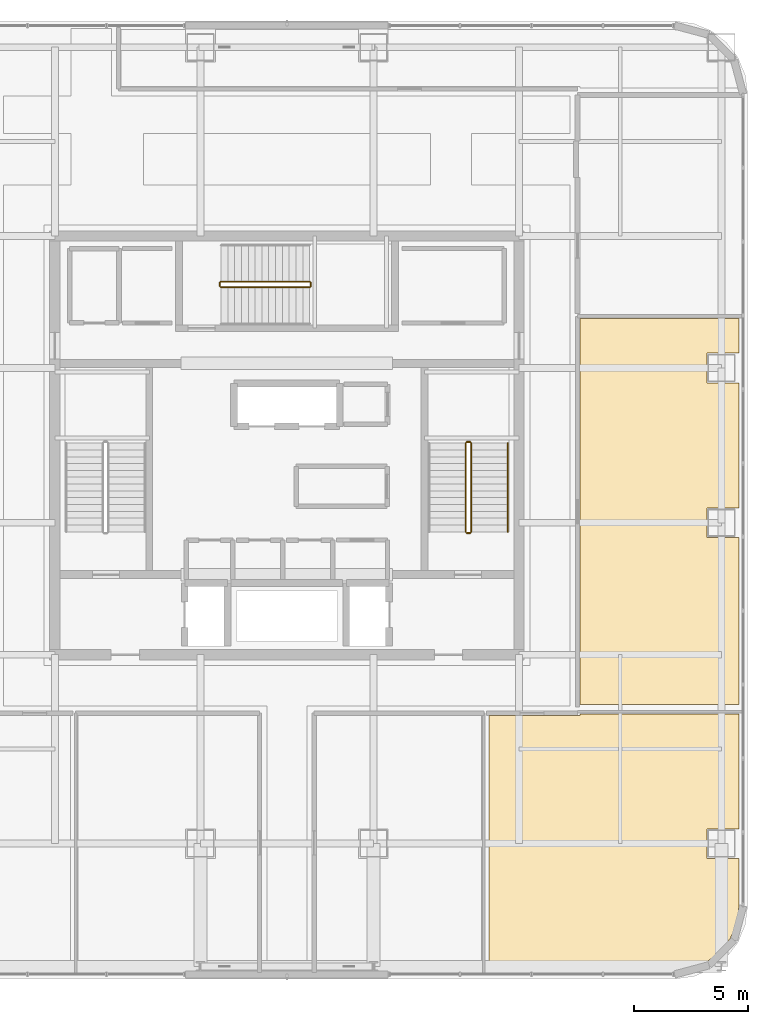
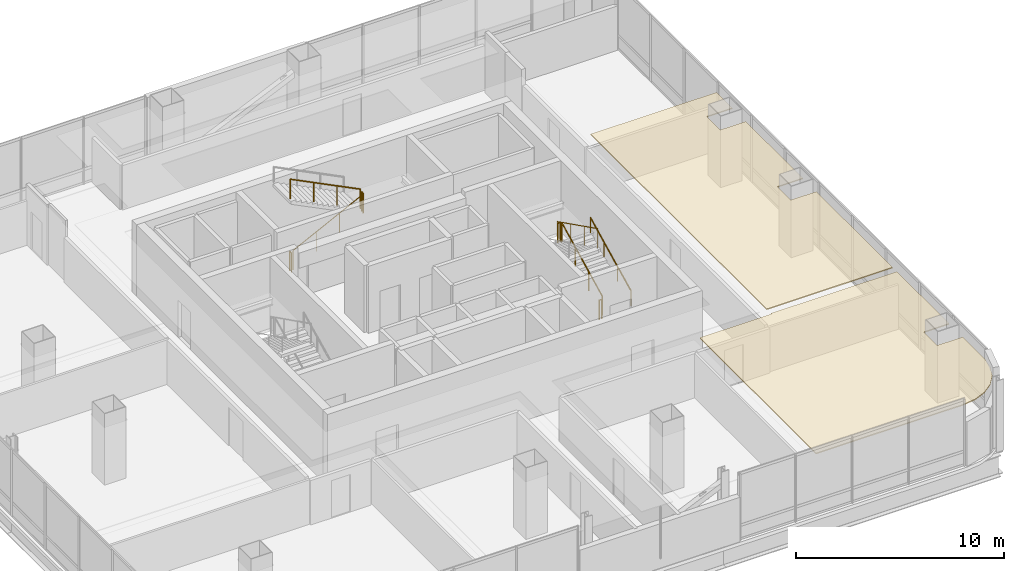
# One storey, part 43 of 46: 9 railings, 2 coverings.
"""IFC4 building model written with IfcOpenShell, lengths in metres."""

from ifc_helpers import new_model, si_unit, direction, frame, origin, origin_2d, place, context, subcontext, project, spatial, polyline, circle, outline, extrude, material, layer, layer_set, type_object, element, save


model = new_model("IFC4")

# Units and contexts
model_context = context("Model", 3, precision=1e-05, world=origin(), true_north=direction((0.0, 1.0)))
body_context = subcontext(model_context, "Body", "Model", "MODEL_VIEW")
ifc_project = project(units=[si_unit("LENGTHUNIT", "METRE"), si_unit("AREAUNIT", "SQUARE_METRE"), si_unit("VOLUMEUNIT", "CUBIC_METRE"), si_unit("PLANEANGLEUNIT", "RADIAN"), si_unit("MASSUNIT", "GRAM", prefix="KILO")], contexts=[model_context])

# Site, building, storey
site_placement = place(None, origin())
site = spatial("IfcSite", under=ifc_project, at=site_placement, CompositionType="ELEMENT")
building_placement = place(site_placement, origin())
building = spatial("IfcBuilding", under=site, at=building_placement, Name="Punatoya Terracotta Tower", CompositionType="ELEMENT")
storey_placement = place(building_placement, frame((0.0, 0.0, 330.0)))
storey = spatial("IfcBuildingStorey", under=building, at=storey_placement, Name="L78", CompositionType="ELEMENT", Elevation=330.0)

# Coverings
ifc_material_1 = material(Name="Acoustic Mineral Fibre Ceiling")
ifc_layer = layer(ifc_material_1, 0.06005859375)
ifc_layer_set = layer_set([ifc_layer], Name="Acoustic Mineral Fibre Ceiling")
covering_type = type_object("IfcCoveringType", Name="COV-CEIL-60", PredefinedType="CEILING", material=ifc_layer_set)
covering_1_placement = place(storey_placement, frame((0.0, 0.0, 3.389892578125)))
element("IfcCovering", 1, at=covering_1_placement, inside=storey, type_object=covering_type, Name="L78 Open-Plan Environmental Research Laboratory Acoustic Ceiling", PredefinedType="CEILING", context=body_context, shape_type="SweptSolid", body=[
    extrude(outline(polyline([(12.8701171875, -11.8701171875), (8.8720703125, -11.8701171875), (8.8720703125, -23.070068359375), (17.025146484375, -23.070068359375), (17.779052734375, -22.970703125), (18.458251953125, -22.689453125), (19.041748046875, -22.24169921875), (19.489501953125, -21.658203125), (19.770751953125, -20.97900390625), (19.8701171875, -20.22509765625), (19.8701171875, -18.14990234375), (18.449951171875, -18.14990234375), (18.449951171875, -16.85009765625), (19.8701171875, -16.85009765625), (19.8701171875, -11.81005859375), (12.8701171875, -11.81005859375), (12.8701171875, -11.8701171875)])), origin(), (0.0, 0.0, 1.0), 0.06005859375),
])
covering_2_placement = place(storey_placement, frame((0.0, 0.0, 3.389892578125)))
element("IfcCovering", 2, at=covering_2_placement, inside=storey, type_object=covering_type, Name="L78 Open-Plan Laboratory Staff Pantry Acoustic Ceiling", PredefinedType="CEILING", context=body_context, shape_type="SweptSolid", body=[
    extrude(outline(polyline([(18.449951171875, -4.050048828125), (18.449951171875, -2.75), (19.8701171875, -2.75), (19.8701171875, 2.75), (18.449951171875, 2.75), (18.449951171875, 4.050048828125), (19.8701171875, 4.050048828125), (19.8701171875, 5.570068359375), (12.8701171875, 5.570068359375), (12.8701171875, -11.389892578125), (19.8701171875, -11.389892578125), (19.8701171875, -4.050048828125), (18.449951171875, -4.050048828125)])), origin(), (0.0, 0.0, 1.0), 0.06005859375),
])

# Railings
ifc_material_2 = material(Name="Steel S355", Category="steel")
railing_type_1 = type_object("IfcRailingType", Name="RLG-GRD-1150", PredefinedType="GUARDRAIL", material=ifc_material_2)
railing_1_placement = place(storey_placement, frame((8.10009765625, -3.800048828125, 0.14990234375)))
element("IfcRailing", 3, at=railing_1_placement, inside=storey, type_object=railing_type_1, Name="L78 ST-2 stair guard 1", PredefinedType="GUARDRAIL", context=body_context, shape_type="SweptSolid", body=[
    extrude(circle(Radius=0.02392578125, at=origin_2d()), frame((0.0, 0.0, 1.1259765625), z_axis=(0.0, 0.894415993023, 0.447235990752), x_axis=(-1.0, 0.0, 0.0)), (0.0, 0.0, 1.0), 4.360595703125),
    extrude(circle(Radius=0.02099609375, at=origin_2d()), origin(), (0.0, 0.0, 1.0), 1.101806640625),
    extrude(circle(Radius=0.02099609375, at=origin_2d()), frame((0.0, 1.300048828125, 0.650146484375)), (0.0, 0.0, 1.0), 1.101806640625),
    extrude(circle(Radius=0.02099609375, at=origin_2d()), frame((0.0, 2.60009765625, 1.300048828125)), (0.0, 0.0, 1.0), 1.101806640625),
    extrude(circle(Radius=0.02099609375, at=origin_2d()), frame((0.0, 3.900146484375, 1.9501953125)), (0.0, 0.0, 1.0), 1.101806640625),
])
railing_2_placement = place(storey_placement, frame((8.050048828125, 0.14990234375, 2.10009765625)))
element("IfcRailing", 4, at=railing_2_placement, inside=storey, type_object=railing_type_1, Name="L78 ST-2 stair guard 2", PredefinedType="GUARDRAIL", context=body_context, shape_type="SweptSolid", body=[
    extrude(circle(Radius=0.02392578125, at=origin_2d()), frame((0.0, 0.0, 1.1259765625), z_axis=(-1.0, 0.0, 0.0), x_axis=(0.0, -1.0, 0.0)), (0.0, 0.0, 1.0), 0.150146484375),
    extrude(circle(Radius=0.02099609375, at=origin_2d()), origin(), (0.0, 0.0, 1.0), 1.101806640625),
    extrude(circle(Radius=0.02099609375, at=origin_2d()), frame((-0.150146484375, 0.0, 0.0)), (0.0, 0.0, 1.0), 1.101806640625),
])
railing_3_placement = place(storey_placement, frame((7.85009765625, 0.10009765625, 2.25)))
element("IfcRailing", 5, at=railing_3_placement, inside=storey, type_object=railing_type_1, Name="L78 ST-2 stair guard 3", PredefinedType="GUARDRAIL", context=body_context, shape_type="SweptSolid", body=[
    extrude(circle(Radius=0.02392578125, at=origin_2d()), frame((0.0, 0.0, 1.1259765625), z_axis=(0.0, -0.894438388696, 0.447191199406), x_axis=(1.0, 0.0, 0.0)), (0.0, 0.0, 1.0), 4.3603515625),
    extrude(circle(Radius=0.02099609375, at=origin_2d()), origin(), (0.0, 0.0, 1.0), 1.101806640625),
    extrude(circle(Radius=0.02099609375, at=origin_2d()), frame((0.0, -1.300048828125, 0.64990234375)), (0.0, 0.0, 1.0), 1.101806640625),
    extrude(circle(Radius=0.02099609375, at=origin_2d()), frame((0.0, -2.60009765625, 1.300048828125)), (0.0, 0.0, 1.0), 1.101806640625),
    extrude(circle(Radius=0.02099609375, at=origin_2d()), frame((0.0, -3.900146484375, 1.949951171875)), (0.0, 0.0, 1.0), 1.101806640625),
])
railing_4_placement = place(storey_placement, frame((8.050048828125, -3.85009765625, 0.0)))
element("IfcRailing", 6, at=railing_4_placement, inside=storey, type_object=railing_type_1, Name="L78 ST-2 stair guard 4", PredefinedType="GUARDRAIL", context=body_context, shape_type="SweptSolid", body=[
    extrude(circle(Radius=0.02392578125, at=origin_2d()), frame((0.0, 0.0, 1.1259765625), z_axis=(-1.0, 0.0, 0.0), x_axis=(0.0, -1.0, 0.0)), (0.0, 0.0, 1.0), 0.150146484375),
    extrude(circle(Radius=0.02099609375, at=origin_2d()), origin(), (0.0, 0.0, 1.0), 1.101806640625),
    extrude(circle(Radius=0.02099609375, at=origin_2d()), frame((-0.150146484375, 0.0, 0.0)), (0.0, 0.0, 1.0), 1.101806640625),
])
railing_5_placement = place(storey_placement, frame((-2.89990234375, 6.949951171875, 0.14990234375)))
element("IfcRailing", 7, at=railing_5_placement, inside=storey, type_object=railing_type_1, Name="L78 ST-3 stair guard 1", PredefinedType="GUARDRAIL", context=body_context, shape_type="SweptSolid", body=[
    extrude(circle(Radius=0.02392578125, at=origin_2d()), frame((0.0, 0.0, 1.1259765625), z_axis=(0.894404793364, 0.0, 0.447258387967), x_axis=(0.0, 1.0, 0.0)), (0.0, 0.0, 1.0), 4.3603515625),
    extrude(circle(Radius=0.02099609375, at=origin_2d()), origin(), (0.0, 0.0, 1.0), 1.101806640625),
    extrude(circle(Radius=0.02099609375, at=origin_2d()), frame((1.300048828125, 0.0, 0.650146484375)), (0.0, 0.0, 1.0), 1.101806640625),
    extrude(circle(Radius=0.02099609375, at=origin_2d()), frame((2.599853515625, 0.0, 1.300048828125)), (0.0, 0.0, 1.0), 1.101806640625),
    extrude(circle(Radius=0.02099609375, at=origin_2d()), frame((3.89990234375, 0.0, 1.9501953125)), (0.0, 0.0, 1.0), 1.101806640625),
])
railing_6_placement = place(storey_placement, frame((1.050048828125, 7.0, 2.10009765625)))
element("IfcRailing", 8, at=railing_6_placement, inside=storey, type_object=railing_type_1, Name="L78 ST-3 stair guard 2", PredefinedType="GUARDRAIL", context=body_context, shape_type="SweptSolid", body=[
    extrude(circle(Radius=0.02392578125, at=origin_2d()), frame((0.0, 0.0, 1.1259765625), z_axis=(0.0, 1.0, 0.0), x_axis=(-1.0, 0.0, 0.0)), (0.0, 0.0, 1.0), 0.14990234375),
    extrude(circle(Radius=0.02099609375, at=origin_2d()), origin(), (0.0, 0.0, 1.0), 1.101806640625),
    extrude(circle(Radius=0.02099609375, at=origin_2d()), frame((0.0, 0.14990234375, 0.0)), (0.0, 0.0, 1.0), 1.101806640625),
])
railing_7_placement = place(storey_placement, frame((1.0, 7.199951171875, 2.25)))
element("IfcRailing", 9, at=railing_7_placement, inside=storey, type_object=railing_type_1, Name="L78 ST-3 stair guard 3", PredefinedType="GUARDRAIL", context=body_context, shape_type="SweptSolid", body=[
    extrude(circle(Radius=0.02392578125, at=origin_2d()), frame((0.0, 0.0, 1.1259765625), z_axis=(-0.894427191, 0.0, 0.4472135955), x_axis=(0.0, -1.0, 0.0)), (0.0, 0.0, 1.0), 4.360107421875),
    extrude(circle(Radius=0.02099609375, at=origin_2d()), origin(), (0.0, 0.0, 1.0), 1.101806640625),
    extrude(circle(Radius=0.02099609375, at=origin_2d()), frame((-1.300048828125, 0.0, 0.64990234375)), (0.0, 0.0, 1.0), 1.101806640625),
    extrude(circle(Radius=0.02099609375, at=origin_2d()), frame((-2.599853515625, 0.0, 1.300048828125)), (0.0, 0.0, 1.0), 1.101806640625),
    extrude(circle(Radius=0.02099609375, at=origin_2d()), frame((-3.89990234375, 0.0, 1.949951171875)), (0.0, 0.0, 1.0), 1.101806640625),
])
railing_8_placement = place(storey_placement, frame((-2.949951171875, 7.0, 0.0)))
element("IfcRailing", 10, at=railing_8_placement, inside=storey, type_object=railing_type_1, Name="L78 ST-3 stair guard 4", PredefinedType="GUARDRAIL", context=body_context, shape_type="SweptSolid", body=[
    extrude(circle(Radius=0.02392578125, at=origin_2d()), frame((0.0, 0.0, 1.1259765625), z_axis=(0.0, 1.0, 0.0), x_axis=(-1.0, 0.0, 0.0)), (0.0, 0.0, 1.0), 0.14990234375),
    extrude(circle(Radius=0.02099609375, at=origin_2d()), origin(), (0.0, 0.0, 1.0), 1.101806640625),
    extrude(circle(Radius=0.02099609375, at=origin_2d()), frame((0.0, 0.14990234375, 0.0)), (0.0, 0.0, 1.0), 1.101806640625),
])
railing_type_2 = type_object("IfcRailingType", Name="RLG-HND-900", PredefinedType="HANDRAIL", material=ifc_material_2)
railing_9_placement = place(storey_placement, frame((9.699951171875, -3.800048828125, 0.14990234375)))
element("IfcRailing", 11, at=railing_9_placement, inside=storey, type_object=railing_type_2, Name="L78 ST-2 stair handrail 1", PredefinedType="HANDRAIL", context=body_context, shape_type="SweptSolid", body=[
    extrude(circle(Radius=0.02392578125, at=origin_2d()), frame((0.0, 0.0, 0.8759765625), z_axis=(0.0, 0.894415993023, 0.447235990752), x_axis=(-1.0, 0.0, 0.0)), (0.0, 0.0, 1.0), 4.360595703125),
    extrude(circle(Radius=0.02099609375, at=origin_2d()), origin(), (0.0, 0.0, 1.0), 0.851806640625),
    extrude(circle(Radius=0.02099609375, at=origin_2d()), frame((0.0, 1.300048828125, 0.650146484375)), (0.0, 0.0, 1.0), 0.851806640625),
    extrude(circle(Radius=0.02099609375, at=origin_2d()), frame((0.0, 2.60009765625, 1.300048828125)), (0.0, 0.0, 1.0), 0.851806640625),
    extrude(circle(Radius=0.02099609375, at=origin_2d()), frame((0.0, 3.900146484375, 1.9501953125)), (0.0, 0.0, 1.0), 0.851806640625),
])

save(model, "model.ifc")
